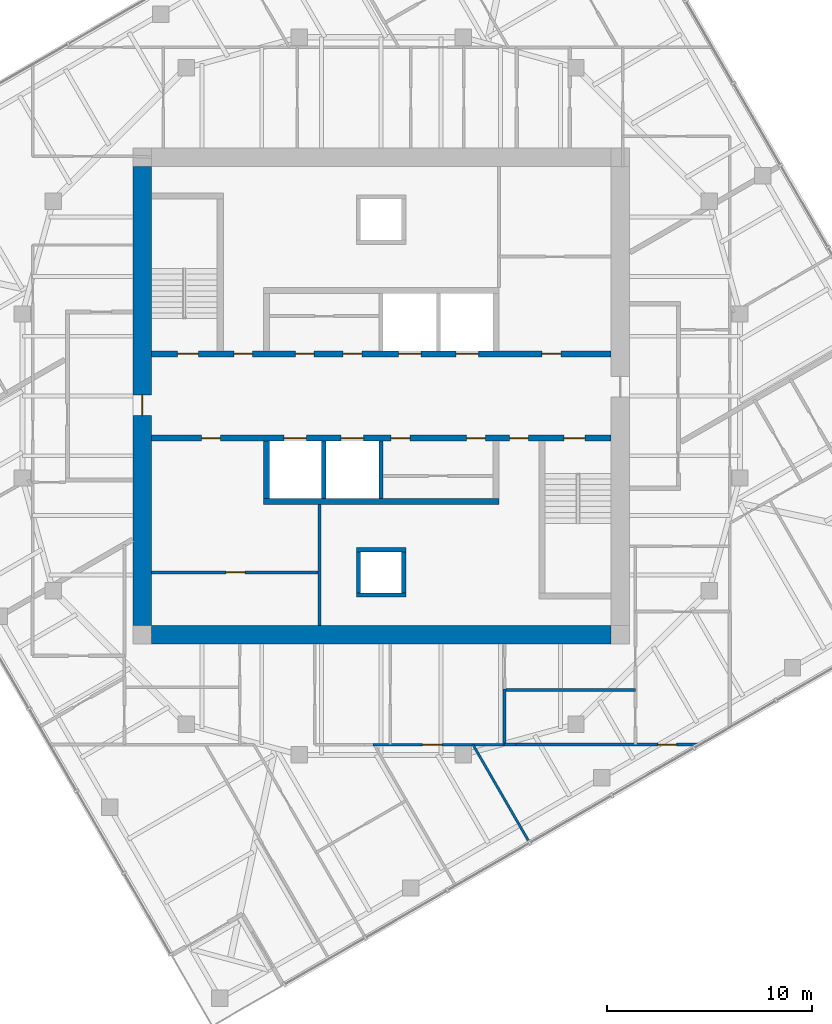
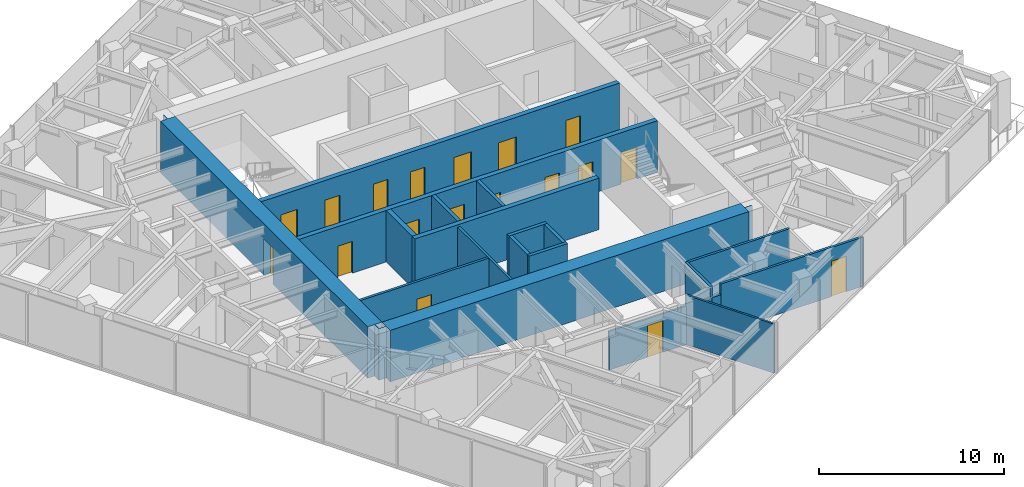
# One storey, part 8 of 13: 20 walls, 18 doors, 18 openings.
"""IFC4 building model written with IfcOpenShell, lengths in metres."""

from ifc_helpers import new_model, si_unit, direction, frame, frame_2d, origin, place, context, subcontext, project, spatial, polyline, rectangle, outline, extrude, material, layer, layer_set, type_object, element, fill, save


model = new_model("IFC4")

# Units and contexts
model_context = context("Model", 3, precision=1e-05, world=origin(), true_north=direction((0.0, 1.0)))
body_context = subcontext(model_context, "Body", "Model", "MODEL_VIEW")
ifc_project = project(units=[si_unit("LENGTHUNIT", "METRE"), si_unit("AREAUNIT", "SQUARE_METRE"), si_unit("VOLUMEUNIT", "CUBIC_METRE"), si_unit("PLANEANGLEUNIT", "RADIAN"), si_unit("MASSUNIT", "GRAM", prefix="KILO")], contexts=[model_context])

# Site, building, storey
site_placement = place(None, origin())
site = spatial("IfcSite", under=ifc_project, at=site_placement, CompositionType="ELEMENT")
building_placement = place(site_placement, origin())
building = spatial("IfcBuilding", under=site, at=building_placement, Name="Torsade Residences", CompositionType="ELEMENT")
storey_placement = place(building_placement, frame((0.0, 0.0, 215.0)))
storey = spatial("IfcBuildingStorey", under=building, at=storey_placement, Name="L59", CompositionType="ELEMENT", Elevation=215.0)

# Wall, openings, doors
ifc_material_1 = material(Name="Concrete 80 MPa", Category="concrete")
ifc_layer_1 = layer(ifc_material_1, 0.300048828125)
ifc_layer_set_1 = layer_set([ifc_layer_1], Name="Concrete 80 MPa")
wall_type_1 = type_object("IfcWallType", Name="CORE INTERNAL WALL 300", PredefinedType="SHEAR", material=ifc_layer_set_1)
wall_1_placement = place(storey_placement, frame((28.800048828125, 32.050048828125, 0.0), z_axis=(0.0, 0.0, 1.0), x_axis=(1.0, 0.0, 0.0)))
wall_1 = element("IfcWall", 1, at=wall_1_placement, inside=storey, type_object=wall_type_1, Name="Core wall LN L59", PredefinedType="SHEAR", context=body_context, shape_type="SweptSolid", body=[
    extrude(rectangle(XDim=22.39990234375, YDim=0.300048828125, at=frame_2d((11.199951171875, 0.0))), origin(), (0.0, 0.0, 1.0), 3.39990234375),
])
opening_1_placement = place(wall_1_placement, frame((19.0400390625, 0.0, 0.0)))
opening_1 = element("IfcOpeningElement", 2, at=opening_1_placement, cuts=wall_1, Name="Opening D06", PredefinedType="OPENING", context=body_context, shape_type="SweptSolid", body=[
    extrude(rectangle(XDim=0.919921875, YDim=2.10009765625, at=frame_2d((0.4599609375, 1.050048828125))), frame((0.0, 0.159912109375, 0.0), z_axis=(0.0, -1.0, 0.0), x_axis=(1.0, 0.0, 0.0)), (0.0, 0.0, 1.0), 0.320068359375),
])
opening_2_placement = place(wall_1_placement, frame((1.264892578125, 0.0, 0.0)))
opening_2 = element("IfcOpeningElement", 3, at=opening_2_placement, cuts=wall_1, Name="Opening D03", PredefinedType="OPENING", context=body_context, shape_type="SweptSolid", body=[
    extrude(rectangle(XDim=1.02001953125, YDim=2.10009765625, at=frame_2d((0.510009765625, 1.050048828125))), frame((0.0, 0.159912109375, 0.0), z_axis=(0.0, -1.0, 0.0), x_axis=(1.0, 0.0, 0.0)), (0.0, 0.0, 1.0), 0.320068359375),
])
opening_3_placement = place(wall_1_placement, frame((4.014892578125, 0.0, 0.0)))
opening_3 = element("IfcOpeningElement", 4, at=opening_3_placement, cuts=wall_1, Name="Opening D06", PredefinedType="OPENING", context=body_context, shape_type="SweptSolid", body=[
    extrude(rectangle(XDim=0.919921875, YDim=2.10009765625, at=frame_2d((0.4599609375, 1.050048828125))), frame((0.0, 0.159912109375, 0.0), z_axis=(0.0, -1.0, 0.0), x_axis=(1.0, 0.0, 0.0)), (0.0, 0.0, 1.0), 0.320068359375),
])
opening_4_placement = place(wall_1_placement, frame((7.014892578125, 0.0, 0.0)))
opening_4 = element("IfcOpeningElement", 5, at=opening_4_placement, cuts=wall_1, Name="Opening D06", PredefinedType="OPENING", context=body_context, shape_type="SweptSolid", body=[
    extrude(rectangle(XDim=0.919921875, YDim=2.10009765625, at=frame_2d((0.4599609375, 1.050048828125))), frame((0.0, 0.159912109375, 0.0), z_axis=(0.0, -1.0, 0.0), x_axis=(1.0, 0.0, 0.0)), (0.0, 0.0, 1.0), 0.320068359375),
])
opening_5_placement = place(wall_1_placement, frame((9.340087890625, 0.0, 0.0)))
opening_5 = element("IfcOpeningElement", 6, at=opening_5_placement, cuts=wall_1, Name="Opening D06", PredefinedType="OPENING", context=body_context, shape_type="SweptSolid", body=[
    extrude(rectangle(XDim=0.919921875, YDim=2.10009765625, at=frame_2d((0.4599609375, 1.050048828125))), frame((0.0, 0.159912109375, 0.0), z_axis=(0.0, -1.0, 0.0), x_axis=(1.0, 0.0, 0.0)), (0.0, 0.0, 1.0), 0.320068359375),
])
opening_6_placement = place(wall_1_placement, frame((12.050048828125, 0.0, 0.0)))
opening_6 = element("IfcOpeningElement", 7, at=opening_6_placement, cuts=wall_1, Name="Opening LD", PredefinedType="OPENING", context=body_context, shape_type="SweptSolid", body=[
    extrude(rectangle(XDim=1.10009765625, YDim=2.10009765625, at=frame_2d((0.550048828125, 1.050048828125))), frame((0.0, 0.159912109375, 0.0), z_axis=(0.0, -1.0, 0.0), x_axis=(1.0, 0.0, 0.0)), (0.0, 0.0, 1.0), 0.320068359375),
])
opening_7_placement = place(wall_1_placement, frame((14.85009765625, 0.0, 0.0)))
opening_7 = element("IfcOpeningElement", 8, at=opening_7_placement, cuts=wall_1, Name="Opening LD", PredefinedType="OPENING", context=body_context, shape_type="SweptSolid", body=[
    extrude(rectangle(XDim=1.10009765625, YDim=2.10009765625, at=frame_2d((0.550048828125, 1.050048828125))), frame((0.0, 0.159912109375, 0.0), z_axis=(0.0, -1.0, 0.0), x_axis=(1.0, 0.0, 0.0)), (0.0, 0.0, 1.0), 0.320068359375),
])
ifc_material_2 = material(Name="Steel-framed fire door", Category="steel")
door_type_1 = type_object("IfcDoorType", Name="FIRE DOOR 1020", OperationType="NOTDEFINED", PredefinedType="DOOR", material=ifc_material_2)
door_1_placement = place(opening_2_placement, origin())
door_1 = element("IfcDoor", 9, at=door_1_placement, inside=storey, type_object=door_type_1, Name="Exit door to fire-isolated stair ST1 L59", OperationType="SINGLE_SWING_RIGHT", OverallHeight=2.10009765625, OverallWidth=1.02001953125, PredefinedType="DOOR", context=body_context, shape_type="SweptSolid", body=[
    extrude(rectangle(XDim=1.02001953125, YDim=2.10009765625, at=frame_2d((0.510009765625, 1.050048828125))), frame((0.0, 0.02490234375, 0.0), z_axis=(0.0, -1.0, 0.0), x_axis=(1.0, 0.0, 0.0)), (0.0, 0.0, 1.0), 0.050048828125),
])
fill(opening_2, door_1)
ifc_material_3 = material(Name="Steel-framed fire door", Category="steel")
door_type_2 = type_object("IfcDoorType", Name="FIRE DOOR 920", OperationType="NOTDEFINED", PredefinedType="DOOR", material=ifc_material_3)
door_2_placement = place(opening_1_placement, origin())
door_2 = element("IfcDoor", 10, at=door_2_placement, inside=storey, type_object=door_type_2, Name="Door Lift lobby to Refuse room", OperationType="SINGLE_SWING_LEFT", OverallHeight=2.10009765625, OverallWidth=0.919921875, PredefinedType="DOOR", context=body_context, shape_type="SweptSolid", body=[
    extrude(rectangle(XDim=0.919921875, YDim=2.10009765625, at=frame_2d((0.4599609375, 1.050048828125))), frame((0.0, 0.02490234375, 0.0), z_axis=(0.0, -1.0, 0.0), x_axis=(1.0, 0.0, 0.0)), (0.0, 0.0, 1.0), 0.050048828125),
])
fill(opening_1, door_2)
door_3_placement = place(opening_3_placement, origin())
door_3 = element("IfcDoor", 11, at=door_3_placement, inside=storey, type_object=door_type_2, Name="Door Lift lobby to Electrical riser room", OperationType="SINGLE_SWING_LEFT", OverallHeight=2.10009765625, OverallWidth=0.919921875, PredefinedType="DOOR", context=body_context, shape_type="SweptSolid", body=[
    extrude(rectangle(XDim=0.919921875, YDim=2.10009765625, at=frame_2d((0.4599609375, 1.050048828125))), frame((0.0, 0.02490234375, 0.0), z_axis=(0.0, -1.0, 0.0), x_axis=(1.0, 0.0, 0.0)), (0.0, 0.0, 1.0), 0.050048828125),
])
fill(opening_3, door_3)
door_4_placement = place(opening_4_placement, origin())
door_4 = element("IfcDoor", 12, at=door_4_placement, inside=storey, type_object=door_type_2, Name="Door Lift lobby to Linen store L59A", OperationType="SINGLE_SWING_RIGHT", OverallHeight=2.10009765625, OverallWidth=0.919921875, PredefinedType="DOOR", context=body_context, shape_type="SweptSolid", body=[
    extrude(rectangle(XDim=0.919921875, YDim=2.10009765625, at=frame_2d((0.4599609375, 1.050048828125))), frame((0.0, 0.02490234375, 0.0), z_axis=(0.0, -1.0, 0.0), x_axis=(1.0, 0.0, 0.0)), (0.0, 0.0, 1.0), 0.050048828125),
])
fill(opening_4, door_4)
door_5_placement = place(opening_5_placement, origin())
door_5 = element("IfcDoor", 13, at=door_5_placement, inside=storey, type_object=door_type_2, Name="Door Lift lobby to Linen store L59A", OperationType="SINGLE_SWING_LEFT", OverallHeight=2.10009765625, OverallWidth=0.919921875, PredefinedType="DOOR", context=body_context, shape_type="SweptSolid", body=[
    extrude(rectangle(XDim=0.919921875, YDim=2.10009765625, at=frame_2d((0.4599609375, 1.050048828125))), frame((0.0, 0.02490234375, 0.0), z_axis=(0.0, -1.0, 0.0), x_axis=(1.0, 0.0, 0.0)), (0.0, 0.0, 1.0), 0.050048828125),
])
fill(opening_5, door_5)
ifc_material_4 = material(Name="Stainless steel lift landing door", Category="steel")
door_type_3 = type_object("IfcDoorType", Name="LIFT LANDING DOOR 1100", OperationType="SLIDING_TO_LEFT", PredefinedType="DOOR", material=ifc_material_4)
door_6_placement = place(opening_6_placement, origin())
door_6 = element("IfcDoor", 14, at=door_6_placement, inside=storey, type_object=door_type_3, Name="Lift LA3 landing door L59", OperationType="SLIDING_TO_LEFT", OverallHeight=2.10009765625, OverallWidth=1.10009765625, PredefinedType="DOOR", context=body_context, shape_type="SweptSolid", body=[
    extrude(rectangle(XDim=1.10009765625, YDim=2.10009765625, at=frame_2d((0.550048828125, 1.050048828125))), frame((0.0, 0.02490234375, 0.0), z_axis=(0.0, -1.0, 0.0), x_axis=(1.0, 0.0, 0.0)), (0.0, 0.0, 1.0), 0.050048828125),
])
fill(opening_6, door_6)
door_7_placement = place(opening_7_placement, origin())
door_7 = element("IfcDoor", 15, at=door_7_placement, inside=storey, type_object=door_type_3, Name="Lift FL1 landing door L59", OperationType="SLIDING_TO_LEFT", OverallHeight=2.10009765625, OverallWidth=1.10009765625, PredefinedType="DOOR", context=body_context, shape_type="SweptSolid", body=[
    extrude(rectangle(XDim=1.10009765625, YDim=2.10009765625, at=frame_2d((0.550048828125, 1.050048828125))), frame((0.0, 0.02490234375, 0.0), z_axis=(0.0, -1.0, 0.0), x_axis=(1.0, 0.0, 0.0)), (0.0, 0.0, 1.0), 0.050048828125),
])
fill(opening_7, door_7)

wall_2_placement = place(storey_placement, frame((51.199951171875, 27.949951171875, 0.0), z_axis=(0.0, 0.0, 1.0), x_axis=(-1.0, 0.0, 0.0)))
wall_2 = element("IfcWall", 16, at=wall_2_placement, inside=storey, type_object=wall_type_1, Name="Core wall LS L59", PredefinedType="SHEAR", context=body_context, shape_type="SweptSolid", body=[
    extrude(rectangle(XDim=22.39990234375, YDim=0.300048828125, at=frame_2d((11.199951171875, 0.0))), origin(), (0.0, 0.0, 1.0), 3.39990234375),
])
opening_8_placement = place(wall_2_placement, frame((19.0400390625, 0.0, 0.0)))
opening_8 = element("IfcOpeningElement", 17, at=opening_8_placement, cuts=wall_2, Name="Opening D06", PredefinedType="OPENING", context=body_context, shape_type="SweptSolid", body=[
    extrude(rectangle(XDim=0.919921875, YDim=2.10009765625, at=frame_2d((0.4599609375, 1.050048828125))), frame((0.0, 0.159912109375, 0.0), z_axis=(0.0, -1.0, 0.0), x_axis=(1.0, 0.0, 0.0)), (0.0, 0.0, 1.0), 0.320068359375),
])
opening_9_placement = place(wall_2_placement, frame((1.264892578125, 0.0, 0.0)))
opening_9 = element("IfcOpeningElement", 18, at=opening_9_placement, cuts=wall_2, Name="Opening D03", PredefinedType="OPENING", context=body_context, shape_type="SweptSolid", body=[
    extrude(rectangle(XDim=1.02001953125, YDim=2.10009765625, at=frame_2d((0.510009765625, 1.050048828125))), frame((0.0, 0.159912109375, 0.0), z_axis=(0.0, -1.0, 0.0), x_axis=(1.0, 0.0, 0.0)), (0.0, 0.0, 1.0), 0.320068359375),
])
opening_10_placement = place(wall_2_placement, frame((4.014892578125, 0.0, 0.0)))
opening_10 = element("IfcOpeningElement", 19, at=opening_10_placement, cuts=wall_2, Name="Opening D06", PredefinedType="OPENING", context=body_context, shape_type="SweptSolid", body=[
    extrude(rectangle(XDim=0.919921875, YDim=2.10009765625, at=frame_2d((0.4599609375, 1.050048828125))), frame((0.0, 0.159912109375, 0.0), z_axis=(0.0, -1.0, 0.0), x_axis=(1.0, 0.0, 0.0)), (0.0, 0.0, 1.0), 0.320068359375),
])
opening_11_placement = place(wall_2_placement, frame((9.7900390625, 0.0, 0.0)))
opening_11 = element("IfcOpeningElement", 20, at=opening_11_placement, cuts=wall_2, Name="Opening D06", PredefinedType="OPENING", context=body_context, shape_type="SweptSolid", body=[
    extrude(rectangle(XDim=0.919921875, YDim=2.10009765625, at=frame_2d((0.4599609375, 1.050048828125))), frame((0.0, 0.159912109375, 0.0), z_axis=(0.0, -1.0, 0.0), x_axis=(1.0, 0.0, 0.0)), (0.0, 0.0, 1.0), 0.320068359375),
])
opening_12_placement = place(wall_2_placement, frame((6.114990234375, 0.0, 0.0)))
opening_12 = element("IfcOpeningElement", 21, at=opening_12_placement, cuts=wall_2, Name="Opening D06", PredefinedType="OPENING", context=body_context, shape_type="SweptSolid", body=[
    extrude(rectangle(XDim=0.919921875, YDim=2.10009765625, at=frame_2d((0.4599609375, 1.050048828125))), frame((0.0, 0.159912109375, 0.0), z_axis=(0.0, -1.0, 0.0), x_axis=(1.0, 0.0, 0.0)), (0.0, 0.0, 1.0), 0.320068359375),
])
opening_13_placement = place(wall_2_placement, frame((12.050048828125, 0.0, 0.0)))
opening_13 = element("IfcOpeningElement", 22, at=opening_13_placement, cuts=wall_2, Name="Opening LD", PredefinedType="OPENING", context=body_context, shape_type="SweptSolid", body=[
    extrude(rectangle(XDim=1.10009765625, YDim=2.10009765625, at=frame_2d((0.550048828125, 1.050048828125))), frame((0.0, 0.159912109375, 0.0), z_axis=(0.0, -1.0, 0.0), x_axis=(1.0, 0.0, 0.0)), (0.0, 0.0, 1.0), 0.320068359375),
])
opening_14_placement = place(wall_2_placement, frame((14.85009765625, 0.0, 0.0)))
opening_14 = element("IfcOpeningElement", 23, at=opening_14_placement, cuts=wall_2, Name="Opening LD", PredefinedType="OPENING", context=body_context, shape_type="SweptSolid", body=[
    extrude(rectangle(XDim=1.10009765625, YDim=2.10009765625, at=frame_2d((0.550048828125, 1.050048828125))), frame((0.0, 0.159912109375, 0.0), z_axis=(0.0, -1.0, 0.0), x_axis=(1.0, 0.0, 0.0)), (0.0, 0.0, 1.0), 0.320068359375),
])
door_8_placement = place(opening_9_placement, origin())
door_8 = element("IfcDoor", 24, at=door_8_placement, inside=storey, type_object=door_type_1, Name="Exit door to fire-isolated stair ST2 L59", OperationType="SINGLE_SWING_RIGHT", OverallHeight=2.10009765625, OverallWidth=1.02001953125, PredefinedType="DOOR", context=body_context, shape_type="SweptSolid", body=[
    extrude(rectangle(XDim=1.02001953125, YDim=2.10009765625, at=frame_2d((0.510009765625, 1.050048828125))), frame((0.0, 0.02490234375, 0.0), z_axis=(0.0, -1.0, 0.0), x_axis=(1.0, 0.0, 0.0)), (0.0, 0.0, 1.0), 0.050048828125),
])
fill(opening_9, door_8)
door_9_placement = place(opening_8_placement, origin())
door_9 = element("IfcDoor", 25, at=door_9_placement, inside=storey, type_object=door_type_2, Name="Door Lift lobby to Cleaner store", OperationType="SINGLE_SWING_LEFT", OverallHeight=2.10009765625, OverallWidth=0.919921875, PredefinedType="DOOR", context=body_context, shape_type="SweptSolid", body=[
    extrude(rectangle(XDim=0.919921875, YDim=2.10009765625, at=frame_2d((0.4599609375, 1.050048828125))), frame((0.0, 0.02490234375, 0.0), z_axis=(0.0, -1.0, 0.0), x_axis=(1.0, 0.0, 0.0)), (0.0, 0.0, 1.0), 0.050048828125),
])
fill(opening_8, door_9)
door_10_placement = place(opening_10_placement, origin())
door_10 = element("IfcDoor", 26, at=door_10_placement, inside=storey, type_object=door_type_2, Name="Door Lift lobby to Communications riser room", OperationType="SINGLE_SWING_RIGHT", OverallHeight=2.10009765625, OverallWidth=0.919921875, PredefinedType="DOOR", context=body_context, shape_type="SweptSolid", body=[
    extrude(rectangle(XDim=0.919921875, YDim=2.10009765625, at=frame_2d((0.4599609375, 1.050048828125))), frame((0.0, 0.02490234375, 0.0), z_axis=(0.0, -1.0, 0.0), x_axis=(1.0, 0.0, 0.0)), (0.0, 0.0, 1.0), 0.050048828125),
])
fill(opening_10, door_10)
door_11_placement = place(opening_11_placement, origin())
door_11 = element("IfcDoor", 27, at=door_11_placement, inside=storey, type_object=door_type_2, Name="Door Lift lobby to Cleaners store L59C", OperationType="SINGLE_SWING_RIGHT", OverallHeight=2.10009765625, OverallWidth=0.919921875, PredefinedType="DOOR", context=body_context, shape_type="SweptSolid", body=[
    extrude(rectangle(XDim=0.919921875, YDim=2.10009765625, at=frame_2d((0.4599609375, 1.050048828125))), frame((0.0, 0.02490234375, 0.0), z_axis=(0.0, -1.0, 0.0), x_axis=(1.0, 0.0, 0.0)), (0.0, 0.0, 1.0), 0.050048828125),
])
fill(opening_11, door_11)
door_12_placement = place(opening_12_placement, origin())
door_12 = element("IfcDoor", 28, at=door_12_placement, inside=storey, type_object=door_type_2, Name="Door Lift lobby to Cleaners store L59C", OperationType="SINGLE_SWING_LEFT", OverallHeight=2.10009765625, OverallWidth=0.919921875, PredefinedType="DOOR", context=body_context, shape_type="SweptSolid", body=[
    extrude(rectangle(XDim=0.919921875, YDim=2.10009765625, at=frame_2d((0.4599609375, 1.050048828125))), frame((0.0, 0.02490234375, 0.0), z_axis=(0.0, -1.0, 0.0), x_axis=(1.0, 0.0, 0.0)), (0.0, 0.0, 1.0), 0.050048828125),
])
fill(opening_12, door_12)
door_13_placement = place(opening_13_placement, origin())
door_13 = element("IfcDoor", 29, at=door_13_placement, inside=storey, type_object=door_type_3, Name="Lift LB3 landing door L59", OperationType="SLIDING_TO_LEFT", OverallHeight=2.10009765625, OverallWidth=1.10009765625, PredefinedType="DOOR", context=body_context, shape_type="SweptSolid", body=[
    extrude(rectangle(XDim=1.10009765625, YDim=2.10009765625, at=frame_2d((0.550048828125, 1.050048828125))), frame((0.0, 0.02490234375, 0.0), z_axis=(0.0, -1.0, 0.0), x_axis=(1.0, 0.0, 0.0)), (0.0, 0.0, 1.0), 0.050048828125),
])
fill(opening_13, door_13)
door_14_placement = place(opening_14_placement, origin())
door_14 = element("IfcDoor", 30, at=door_14_placement, inside=storey, type_object=door_type_3, Name="Lift FL2 landing door L59", OperationType="SLIDING_TO_LEFT", OverallHeight=2.10009765625, OverallWidth=1.10009765625, PredefinedType="DOOR", context=body_context, shape_type="SweptSolid", body=[
    extrude(rectangle(XDim=1.10009765625, YDim=2.10009765625, at=frame_2d((0.550048828125, 1.050048828125))), frame((0.0, 0.02490234375, 0.0), z_axis=(0.0, -1.0, 0.0), x_axis=(1.0, 0.0, 0.0)), (0.0, 0.0, 1.0), 0.050048828125),
])
fill(opening_14, door_14)

# Walls
wall_3_placement = place(storey_placement, frame((45.75, 24.85009765625, 0.0), z_axis=(0.0, 0.0, 1.0), x_axis=(-1.0, 0.0, 0.0)))
element("IfcWall", 31, at=wall_3_placement, inside=storey, type_object=wall_type_1, Name="Core wall BS L59", PredefinedType="SHEAR", context=body_context, shape_type="SweptSolid", body=[
    extrude(rectangle(XDim=11.5, YDim=0.300048828125, at=frame_2d((5.75, 0.0))), origin(), (0.0, 0.0, 1.0), 3.39990234375),
])
wall_4_placement = place(storey_placement, frame((34.39990234375, 27.800048828125, 0.0), z_axis=(0.0, 0.0, 1.0), x_axis=(0.0, -1.0, 0.0)))
element("IfcWall", 32, at=wall_4_placement, inside=storey, type_object=wall_type_1, Name="Core wall DS4 L59", PredefinedType="SHEAR", context=body_context, shape_type="SweptSolid", body=[
    extrude(rectangle(XDim=2.800048828125, YDim=0.300048828125, at=frame_2d((1.39990234375, 0.0))), origin(), (0.0, 0.0, 1.0), 3.39990234375),
])
ifc_material_5 = material(Name="Concrete 80 MPa", Category="concrete")
ifc_layer_2 = layer(ifc_material_5, 0.89990234375)
ifc_layer_set_2 = layer_set([ifc_layer_2], Name="Concrete 80 MPa")
wall_type_2 = type_object("IfcWallType", Name="CORE WALL 900", PredefinedType="SHEAR", material=ifc_layer_set_2)
wall_5_placement = place(storey_placement, frame((51.199951171875, 18.35009765625, 0.0), z_axis=(0.0, 0.0, 1.0), x_axis=(-1.0, 0.0, 0.0)))
element("IfcWall", 33, at=wall_5_placement, inside=storey, type_object=wall_type_2, Name="Core wall S L59", PredefinedType="SHEAR", context=body_context, shape_type="SweptSolid", body=[
    extrude(outline(polyline([(0.0, -0.449951171875), (22.39990234375, -0.449951171875), (22.39990234375, -0.02490234375), (22.849853515625, -0.02490234375), (22.849853515625, 0.02490234375), (22.39990234375, 0.02490234375), (22.39990234375, 0.449951171875), (0.0, 0.449951171875), (0.0, 0.02490234375), (-0.449951171875, 0.02490234375), (-0.449951171875, -0.02490234375), (0.0, -0.02490234375), (0.0, -0.449951171875)])), origin(), (0.0, 0.0, 1.0), 3.39990234375),
])

# Wall, opening, door
wall_6_placement = place(storey_placement, frame((28.35009765625, 41.199951171875, 0.0), z_axis=(0.0, 0.0, 1.0), x_axis=(0.0, -1.0, 0.0)))
wall_6 = element("IfcWall", 34, at=wall_6_placement, inside=storey, type_object=wall_type_2, Name="Core wall W L59", PredefinedType="SHEAR", context=body_context, shape_type="SweptSolid", body=[
    extrude(outline(polyline([(0.0, -0.449951171875), (22.39990234375, -0.449951171875), (22.39990234375, -0.02490234375), (22.849853515625, -0.02490234375), (22.849853515625, 0.02490234375), (22.39990234375, 0.02490234375), (22.39990234375, 0.449951171875), (0.0, 0.449951171875), (0.0, 0.02490234375), (-0.449951171875, 0.02490234375), (-0.449951171875, -0.02490234375), (0.0, -0.02490234375), (0.0, -0.449951171875)])), origin(), (0.0, 0.0, 1.0), 3.39990234375),
])
opening_15_placement = place(wall_6_placement, frame((11.139892578125, 0.0, 0.0)))
opening_15 = element("IfcOpeningElement", 35, at=opening_15_placement, cuts=wall_6, Name="Opening D04", PredefinedType="OPENING", context=body_context, shape_type="SweptSolid", body=[
    extrude(rectangle(XDim=1.02001953125, YDim=2.39990234375, at=frame_2d((0.510009765625, 1.199951171875))), frame((0.0, 0.4599609375, 0.0), z_axis=(0.0, -1.0, 0.0), x_axis=(1.0, 0.0, 0.0)), (0.0, 0.0, 1.0), 0.919921875),
])
ifc_material_6 = material(Name="Steel-framed fire door", Category="steel")
door_type_4 = type_object("IfcDoorType", Name="LOBBY SMOKE DOOR 1020x2400", OperationType="NOTDEFINED", PredefinedType="DOOR", material=ifc_material_6)
door_15_placement = place(opening_15_placement, origin())
door_15 = element("IfcDoor", 36, at=door_15_placement, inside=storey, type_object=door_type_4, Name="Lift lobby door W L59", OperationType="SINGLE_SWING_RIGHT", OverallHeight=2.39990234375, OverallWidth=1.02001953125, PredefinedType="DOOR", context=body_context, shape_type="SweptSolid", body=[
    extrude(rectangle(XDim=1.02001953125, YDim=2.39990234375, at=frame_2d((0.510009765625, 1.199951171875))), frame((0.0, 0.02490234375, 0.0), z_axis=(0.0, -1.0, 0.0), x_axis=(1.0, 0.0, 0.0)), (0.0, 0.0, 1.0), 0.050048828125),
])
fill(opening_15, door_15)

# Walls
ifc_material_7 = material(Name="Reinforced blockwork", Category="masonry")
ifc_layer_3 = layer(ifc_material_7, 0.199951171875)
ifc_layer_set_3 = layer_set([ifc_layer_3], Name="Reinforced blockwork")
wall_type_3 = type_object("IfcWallType", Name="LIFT SHAFT DIVIDING WALL 200", PredefinedType="SOLIDWALL", material=ifc_layer_set_3)
for number, where, z_axis, x_axis, name in (
    (37, (40.0, 27.800048828125, 0.0), (0.0, 0.0, 1.0), (0.0, -1.0, 0.0), "Core wall DS2 L59"),
    (38, (37.199951171875, 27.800048828125, 0.0), (0.0, 0.0, 1.0), (0.0, -1.0, 0.0), "Core wall DS3 L59"),
):
    element("IfcWall", number, at=place(storey_placement, frame(where, z_axis=z_axis, x_axis=x_axis)), inside=storey, type_object=wall_type_3, Name=name, PredefinedType="SOLIDWALL", context=body_context, shape_type="SweptSolid", body=[
        extrude(rectangle(XDim=2.800048828125, YDim=0.199951171875, at=frame_2d((1.39990234375, 0.0))), origin(), (0.0, 0.0, 1.0), 3.39990234375),
    ])

# Wall, opening, door
ifc_material_8 = material(Name="Plasterboard on steel stud", Category="steel")
ifc_layer_4 = layer(ifc_material_8, 0.1201171875)
ifc_layer_set_4 = layer_set([ifc_layer_4], Name="Plasterboard on steel stud")
wall_type_4 = type_object("IfcWallType", Name="PARTITION 120", PredefinedType="PARTITIONING", material=ifc_layer_set_4)
wall_7_placement = place(storey_placement, frame((46.0205078125, 13.0, 0.0), z_axis=(0.0, 0.0, 1.0), x_axis=(-1.0, 0.0, 0.0)))
wall_7 = element("IfcWall", 39, at=wall_7_placement, inside=storey, type_object=wall_type_4, Name="Partition L59", PredefinedType="PARTITIONING", context=body_context, shape_type="SweptSolid", body=[
    extrude(rectangle(XDim=6.424560546875, YDim=0.1201171875, at=frame_2d((3.21240234375, 0.0))), origin(), (0.0, 0.0, 1.0), 2.550048828125),
])
opening_16_placement = place(wall_7_placement, frame((3.052490234375, 0.0, 0.0)))
opening_16 = element("IfcOpeningElement", 40, at=opening_16_placement, cuts=wall_7, Name="Opening D05", PredefinedType="OPENING", context=body_context, shape_type="SweptSolid", body=[
    extrude(rectangle(XDim=0.9599609375, YDim=2.10009765625, at=frame_2d((0.47998046875, 1.050048828125))), frame((0.0, 0.070068359375, 0.0), z_axis=(0.0, -1.0, 0.0), x_axis=(1.0, 0.0, 0.0)), (0.0, 0.0, 1.0), 0.14013671875),
])
ifc_material_9 = material(Name="Hollow-core timber door in a steel cavity frame", Category="steel")
door_type_5 = type_object("IfcDoorType", Name="BATHROOM CAVITY SLIDING DOOR 960", OperationType="SLIDING_TO_LEFT", PredefinedType="DOOR", material=ifc_material_9)
door_16_placement = place(opening_16_placement, origin())
door_16 = element("IfcDoor", 41, at=door_16_placement, inside=storey, type_object=door_type_5, Name="Door Laundry to Bedroom 3", OperationType="SLIDING_TO_LEFT", OverallHeight=2.10009765625, OverallWidth=0.9599609375, PredefinedType="DOOR", context=body_context, shape_type="SweptSolid", body=[
    extrude(rectangle(XDim=0.9599609375, YDim=2.10009765625, at=frame_2d((0.47998046875, 1.050048828125))), frame((0.0, 0.02490234375, 0.0), z_axis=(0.0, -1.0, 0.0), x_axis=(1.0, 0.0, 0.0)), (0.0, 0.0, 1.0), 0.050048828125),
])
fill(opening_16, door_16)

# Walls
wall_8_placement = place(storey_placement, frame((44.474609375, 13.0, 0.0), z_axis=(0.0, 0.0, 1.0), x_axis=(0.49997732567, -0.866038494419, 0.0)))
element("IfcWall", 42, at=wall_8_placement, inside=storey, type_object=wall_type_4, Name="Partition L59", PredefinedType="PARTITIONING", context=body_context, shape_type="SweptSolid", body=[
    extrude(rectangle(XDim=5.500244140625, YDim=0.1201171875, at=frame_2d((2.75, 0.0))), origin(), (0.0, 0.0, 1.0), 3.25),
])
ifc_material_10 = material(Name="Reinforced blockwork", Category="masonry")
ifc_layer_5 = layer(ifc_material_10, 0.199951171875)
ifc_layer_set_5 = layer_set([ifc_layer_5], Name="Reinforced blockwork")
wall_type_5 = type_object("IfcWallType", Name="RISER SHAFT WALL 200", PredefinedType="SOLIDWALL", material=ifc_layer_set_5)
for number, where, z_axis, x_axis, name in (
    (43, (38.89990234375, 22.39990234375, 0.0), (0.0, 0.0, 1.0), (0.0, -1.0, 0.0), "Core wall RS2a L59"),
    (44, (41.10009765625, 22.39990234375, 0.0), (0.0, 0.0, 1.0), (0.0, -1.0, 0.0), "Core wall RS2b L59"),
):
    element("IfcWall", number, at=place(storey_placement, frame(where, z_axis=z_axis, x_axis=x_axis)), inside=storey, type_object=wall_type_5, Name=name, PredefinedType="SOLIDWALL", context=body_context, shape_type="SweptSolid", body=[
        extrude(rectangle(XDim=2.0, YDim=0.199951171875, at=frame_2d((1.0, 0.0))), origin(), (0.0, 0.0, 1.0), 3.39990234375),
    ])
for number, where, z_axis, x_axis, name in (
    (45, (38.800048828125, 22.5, 0.0), (0.0, 0.0, 1.0), (1.0, 0.0, 0.0), "Core wall RS2c L59"),
    (46, (38.800048828125, 20.300048828125, 0.0), (0.0, 0.0, 1.0), (1.0, 0.0, 0.0), "Core wall RS2d L59"),
):
    element("IfcWall", number, at=place(storey_placement, frame(where, z_axis=z_axis, x_axis=x_axis)), inside=storey, type_object=wall_type_5, Name=name, PredefinedType="SOLIDWALL", context=body_context, shape_type="SweptSolid", body=[
        extrude(rectangle(XDim=2.39990234375, YDim=0.199951171875, at=frame_2d((1.199951171875, 0.0))), origin(), (0.0, 0.0, 1.0), 3.39990234375),
    ])
ifc_material_11 = material(Name="Reinforced blockwork", Category="masonry")
ifc_layer_6 = layer(ifc_material_11, 0.14990234375)
ifc_layer_set_6 = layer_set([ifc_layer_6], Name="Reinforced blockwork")
wall_type_6 = type_object("IfcWallType", Name="SERVICE ROOM WALL 150", PredefinedType="SOLIDWALL", material=ifc_layer_set_6)
wall_9_placement = place(storey_placement, frame((37.0, 18.800048828125, 0.0), z_axis=(0.0, 0.0, 1.0), x_axis=(0.0, 1.0, 0.0)))
element("IfcWall", 47, at=wall_9_placement, inside=storey, type_object=wall_type_6, Name="Service room wall L59", PredefinedType="SOLIDWALL", context=body_context, shape_type="SweptSolid", body=[
    extrude(rectangle(XDim=5.89990234375, YDim=0.14990234375, at=frame_2d((2.949951171875, 0.0))), origin(), (0.0, 0.0, 1.0), 3.25),
])

# Wall, opening, door
wall_10_placement = place(storey_placement, frame((37.0, 21.39990234375, 0.0), z_axis=(0.0, 0.0, 1.0), x_axis=(-1.0, 0.0, 0.0)))
wall_10 = element("IfcWall", 48, at=wall_10_placement, inside=storey, type_object=wall_type_6, Name="Service room wall L59", PredefinedType="SOLIDWALL", context=body_context, shape_type="SweptSolid", body=[
    extrude(rectangle(XDim=8.199951171875, YDim=0.14990234375, at=frame_2d((4.10009765625, 0.0))), origin(), (0.0, 0.0, 1.0), 3.25),
])
opening_17_placement = place(wall_10_placement, frame((3.639892578125, 0.0, 0.0)))
opening_17 = element("IfcOpeningElement", 49, at=opening_17_placement, cuts=wall_10, Name="Opening D06", PredefinedType="OPENING", context=body_context, shape_type="SweptSolid", body=[
    extrude(rectangle(XDim=0.919921875, YDim=2.10009765625, at=frame_2d((0.4599609375, 1.050048828125))), frame((0.0, 0.0849609375, 0.0), z_axis=(0.0, -1.0, 0.0), x_axis=(1.0, 0.0, 0.0)), (0.0, 0.0, 1.0), 0.169921875),
])
door_17_placement = place(opening_17_placement, origin())
door_17 = element("IfcDoor", 50, at=door_17_placement, inside=storey, type_object=door_type_2, Name="Door Cleaner store to Building store", OperationType="SINGLE_SWING_RIGHT", OverallHeight=2.10009765625, OverallWidth=0.919921875, PredefinedType="DOOR", context=body_context, shape_type="SweptSolid", body=[
    extrude(rectangle(XDim=0.919921875, YDim=2.10009765625, at=frame_2d((0.4599609375, 1.050048828125))), frame((0.0, 0.02490234375, 0.0), z_axis=(0.0, -1.0, 0.0), x_axis=(1.0, 0.0, 0.0)), (0.0, 0.0, 1.0), 0.050048828125),
])
fill(opening_17, door_17)

# Walls
wall_11_placement = place(storey_placement, frame((46.0205078125, 15.710205078125, 0.0), z_axis=(0.0, 0.0, 1.0), x_axis=(0.0, -1.0, 0.0)))
element("IfcWall", 51, at=wall_11_placement, inside=storey, type_object=wall_type_6, Name="Service room wall L59", PredefinedType="SOLIDWALL", context=body_context, shape_type="SweptSolid", body=[
    extrude(rectangle(XDim=2.710205078125, YDim=0.14990234375, at=frame_2d((1.35498046875, 0.0))), origin(), (0.0, 0.0, 1.0), 3.25),
])
wall_12_placement = place(storey_placement, frame((52.398193359375, 15.660400390625, 0.0), z_axis=(0.0, 0.0, 1.0), x_axis=(-1.0, 0.0, 0.0)))
element("IfcWall", 52, at=wall_12_placement, inside=storey, type_object=wall_type_6, Name="Service room wall L59", PredefinedType="SOLIDWALL", context=body_context, shape_type="SweptSolid", body=[
    extrude(rectangle(XDim=6.377685546875, YDim=0.14990234375, at=frame_2d((3.18896484375, 0.0))), origin(), (0.0, 0.0, 1.0), 3.25),
])

# Wall, opening, door
wall_13_placement = place(storey_placement, frame((55.47509765625, 13.0, 0.0), z_axis=(0.0, 0.0, 1.0), x_axis=(-1.0, 0.0, 0.0)))
wall_13 = element("IfcWall", 53, at=wall_13_placement, inside=storey, type_object=wall_type_6, Name="Service room wall L59", PredefinedType="SOLIDWALL", context=body_context, shape_type="SweptSolid", body=[
    extrude(rectangle(XDim=8.8916015625, YDim=0.14990234375, at=frame_2d((4.44580078125, 0.0))), origin(), (0.0, 0.0, 1.0), 3.25),
])
opening_18_placement = place(wall_13_placement, frame((1.0634765625, 0.0, 0.0)))
opening_18 = element("IfcOpeningElement", 54, at=opening_18_placement, cuts=wall_13, Name="Opening D02", PredefinedType="OPENING", context=body_context, shape_type="SweptSolid", body=[
    extrude(rectangle(XDim=0.919921875, YDim=2.340087890625, at=frame_2d((0.4599609375, 1.169921875))), frame((0.0, 0.0849609375, 0.0), z_axis=(0.0, -1.0, 0.0), x_axis=(1.0, 0.0, 0.0)), (0.0, 0.0, 1.0), 0.169921875),
])
ifc_material_12 = material(Name="Hollow-core timber door", Category="wood")
door_type_6 = type_object("IfcDoorType", Name="INTERNAL DOOR 920x2340", OperationType="NOTDEFINED", PredefinedType="DOOR", material=ifc_material_12)
door_18_placement = place(opening_18_placement, origin())
door_18 = element("IfcDoor", 55, at=door_18_placement, inside=storey, type_object=door_type_6, Name="Door Linen store 4 to Bedroom 4", OperationType="SINGLE_SWING_RIGHT", OverallHeight=2.340087890625, OverallWidth=0.919921875, PredefinedType="DOOR", context=body_context, shape_type="SweptSolid", body=[
    extrude(rectangle(XDim=0.919921875, YDim=2.340087890625, at=frame_2d((0.4599609375, 1.169921875))), frame((0.0, 0.02490234375, 0.0), z_axis=(0.0, -1.0, 0.0), x_axis=(1.0, 0.0, 0.0)), (0.0, 0.0, 1.0), 0.050048828125),
])
fill(opening_18, door_18)

# Wall
wall_14_placement = place(storey_placement, frame((46.58349609375, 13.0, 0.0), z_axis=(0.0, 0.0, 1.0), x_axis=(-1.0, 0.0, 0.0)))
element("IfcWall", 56, at=wall_14_placement, inside=storey, type_object=wall_type_6, Name="Service room wall L59", PredefinedType="SOLIDWALL", context=body_context, shape_type="SweptSolid", body=[
    extrude(rectangle(XDim=0.56298828125, YDim=0.14990234375, at=frame_2d((0.281494140625, 0.0))), origin(), (0.0, 0.0, 1.0), 2.550048828125),
])

save(model, "model.ifc")
